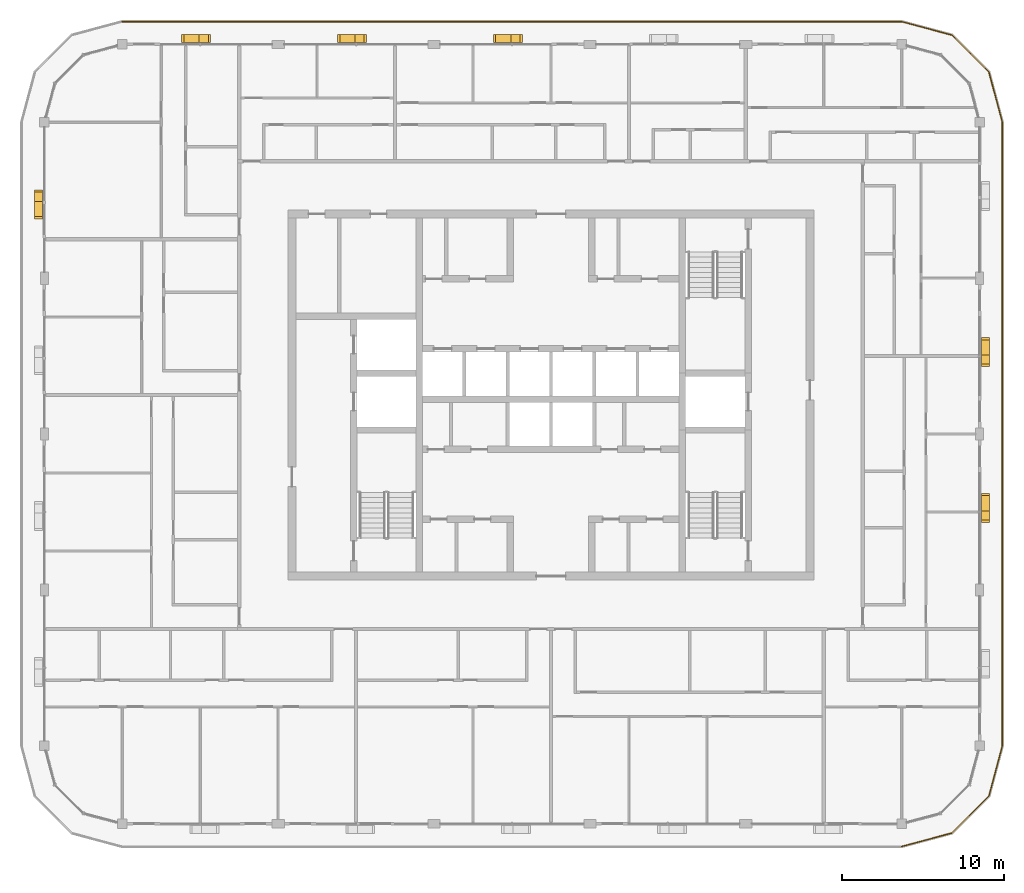
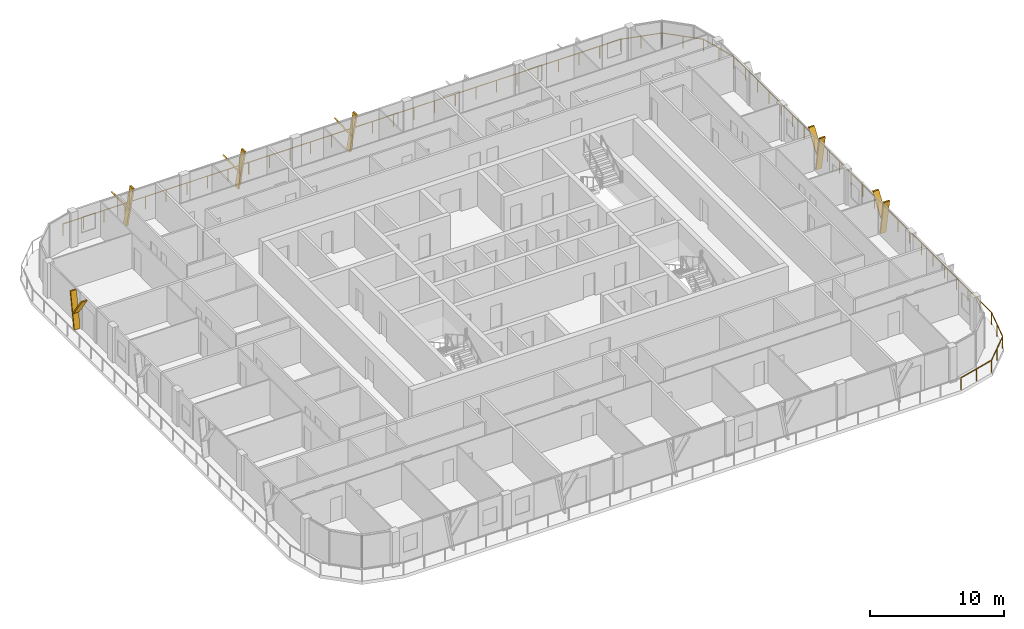
# One storey, part 20 of 21: 12 shading devices, 1 railing.
"""IFC4 building model written with IfcOpenShell, lengths in metres."""

from ifc_helpers import new_model, si_unit, direction, frame, origin, origin_2d, place, context, subcontext, project, spatial, polyline, circle, outline, extrude, material, type_object, element, save


model = new_model("IFC4")

# Units and contexts
model_context = context("Model", 3, precision=1e-05, world=origin(), true_north=direction((0.0, 1.0)))
body_context = subcontext(model_context, "Body", "Model", "MODEL_VIEW")
ifc_project = project(units=[si_unit("LENGTHUNIT", "METRE"), si_unit("AREAUNIT", "SQUARE_METRE"), si_unit("VOLUMEUNIT", "CUBIC_METRE"), si_unit("PLANEANGLEUNIT", "RADIAN"), si_unit("MASSUNIT", "GRAM", prefix="KILO")], contexts=[model_context])

# Site, building, storey
site_placement = place(None, origin())
site = spatial("IfcSite", under=ifc_project, at=site_placement, CompositionType="ELEMENT")
building_placement = place(site_placement, origin())
building = spatial("IfcBuilding", under=site, at=building_placement, Name="Madar Terraces", CompositionType="ELEMENT")
storey_placement = place(building_placement, frame((0.0, 0.0, 268.60009765625)))
storey = spatial("IfcBuildingStorey", under=building, at=storey_placement, Name="L70", CompositionType="ELEMENT", Elevation=268.60009765625)

# Railing
ifc_material_1 = material(Name="Glass, safety glazing, with stainless steel posts", Category="steel")
railing_type = type_object("IfcRailingType", Name="Balcony glass guard 1100", PredefinedType="GUARDRAIL", material=ifc_material_1)
railing_placement = place(storey_placement, frame((52.800048828125, -1.39990234375, 0.0)))
element("IfcRailing", 1, at=railing_placement, inside=storey, type_object=railing_type, Name="Balcony guard", PredefinedType="GUARDRAIL", context=body_context, shape_type="SweptSolid", body=[
    extrude(circle(Radius=0.02392578125, at=origin_2d()), frame((0.0, 0.0, 1.076171875), z_axis=(0.965928696102, 0.258808334578, 0.0), x_axis=(-0.258808334578, 0.965928696102, 0.0)), (0.0, 0.0, 1.0), 3.209228515625),
    extrude(circle(Radius=0.02392578125, at=origin_2d()), frame((3.099853515625, 0.83056640625, 1.076171875), z_axis=(0.707144815061, 0.707068745266, 0.0), x_axis=(-0.707068745266, 0.707144815061, 0.0)), (0.0, 0.0, 1.0), 3.20947265625),
    extrude(circle(Radius=0.02392578125, at=origin_2d()), frame((5.369384765625, 3.099853515625, 1.076171875), z_axis=(0.258789317819, 0.9659337912, 0.0), x_axis=(-0.9659337912, 0.258789317819, 0.0)), (0.0, 0.0, 1.0), 3.20947265625),
    extrude(circle(Radius=0.02392578125, at=origin_2d()), frame((6.199951171875, 6.199951171875, 1.076171875), z_axis=(0.0, 1.0, 0.0), x_axis=(-1.0, 0.0, 0.0)), (0.0, 0.0, 1.0), 38.39990234375),
    extrude(circle(Radius=0.02392578125, at=origin_2d()), frame((6.199951171875, 44.599853515625, 1.076171875), z_axis=(-0.258789317819, 0.9659337912, 0.0), x_axis=(-0.9659337912, -0.258789317819, 0.0)), (0.0, 0.0, 1.0), 3.20947265625),
    extrude(circle(Radius=0.02392578125, at=origin_2d()), frame((5.369384765625, 47.699951171875, 1.076171875), z_axis=(-0.707144815061, 0.707068745266, 0.0), x_axis=(-0.707068745266, -0.707144815061, 0.0)), (0.0, 0.0, 1.0), 3.20947265625),
    extrude(circle(Radius=0.02392578125, at=origin_2d()), frame((3.099853515625, 49.96923828125, 1.076171875), z_axis=(-0.965928696102, 0.258808334578, 0.0), x_axis=(-0.258808334578, -0.965928696102, 0.0)), (0.0, 0.0, 1.0), 3.209228515625),
    extrude(circle(Radius=0.02392578125, at=origin_2d()), frame((0.0, 50.7998046875, 1.076171875), z_axis=(-1.0, 0.0, 0.0), x_axis=(0.0, -1.0, 0.0)), (0.0, 0.0, 1.0), 48.0),
    extrude(circle(Radius=0.02099609375, at=origin_2d()), origin(), (0.0, 0.0, 1.0), 1.052001953125),
    extrude(circle(Radius=0.02099609375, at=origin_2d()), frame((1.5498046875, 0.415283203125, 0.0)), (0.0, 0.0, 1.0), 1.052001953125),
    extrude(circle(Radius=0.02099609375, at=origin_2d()), frame((3.099853515625, 0.83056640625, 0.0)), (0.0, 0.0, 1.0), 1.052001953125),
    extrude(circle(Radius=0.02099609375, at=origin_2d()), frame((4.234619140625, 1.96533203125, 0.0)), (0.0, 0.0, 1.0), 1.052001953125),
    extrude(circle(Radius=0.02099609375, at=origin_2d()), frame((5.369384765625, 3.099853515625, 0.0)), (0.0, 0.0, 1.0), 1.052001953125),
    extrude(circle(Radius=0.02099609375, at=origin_2d()), frame((5.78466796875, 4.64990234375, 0.0)), (0.0, 0.0, 1.0), 1.052001953125),
    extrude(circle(Radius=0.02099609375, at=origin_2d()), frame((6.199951171875, 6.199951171875, 0.0)), (0.0, 0.0, 1.0), 1.052001953125),
    extrude(circle(Radius=0.02099609375, at=origin_2d()), frame((6.199951171875, 7.9453125, 0.0)), (0.0, 0.0, 1.0), 1.052001953125),
    extrude(circle(Radius=0.02099609375, at=origin_2d()), frame((6.199951171875, 9.69091796875, 0.0)), (0.0, 0.0, 1.0), 1.052001953125),
    extrude(circle(Radius=0.02099609375, at=origin_2d()), frame((6.199951171875, 11.436279296875, 0.0)), (0.0, 0.0, 1.0), 1.052001953125),
    extrude(circle(Radius=0.02099609375, at=origin_2d()), frame((6.199951171875, 13.181640625, 0.0)), (0.0, 0.0, 1.0), 1.052001953125),
    extrude(circle(Radius=0.02099609375, at=origin_2d()), frame((6.199951171875, 14.92724609375, 0.0)), (0.0, 0.0, 1.0), 1.052001953125),
    extrude(circle(Radius=0.02099609375, at=origin_2d()), frame((6.199951171875, 16.672607421875, 0.0)), (0.0, 0.0, 1.0), 1.052001953125),
    extrude(circle(Radius=0.02099609375, at=origin_2d()), frame((6.199951171875, 18.418212890625, 0.0)), (0.0, 0.0, 1.0), 1.052001953125),
    extrude(circle(Radius=0.02099609375, at=origin_2d()), frame((6.199951171875, 20.16357421875, 0.0)), (0.0, 0.0, 1.0), 1.052001953125),
    extrude(circle(Radius=0.02099609375, at=origin_2d()), frame((6.199951171875, 21.908935546875, 0.0)), (0.0, 0.0, 1.0), 1.052001953125),
    extrude(circle(Radius=0.02099609375, at=origin_2d()), frame((6.199951171875, 23.654541015625, 0.0)), (0.0, 0.0, 1.0), 1.052001953125),
    extrude(circle(Radius=0.02099609375, at=origin_2d()), frame((6.199951171875, 25.39990234375, 0.0)), (0.0, 0.0, 1.0), 1.052001953125),
    extrude(circle(Radius=0.02099609375, at=origin_2d()), frame((6.199951171875, 27.145263671875, 0.0)), (0.0, 0.0, 1.0), 1.052001953125),
    extrude(circle(Radius=0.02099609375, at=origin_2d()), frame((6.199951171875, 28.890869140625, 0.0)), (0.0, 0.0, 1.0), 1.052001953125),
    extrude(circle(Radius=0.02099609375, at=origin_2d()), frame((6.199951171875, 30.63623046875, 0.0)), (0.0, 0.0, 1.0), 1.052001953125),
    extrude(circle(Radius=0.02099609375, at=origin_2d()), frame((6.199951171875, 32.381591796875, 0.0)), (0.0, 0.0, 1.0), 1.052001953125),
    extrude(circle(Radius=0.02099609375, at=origin_2d()), frame((6.199951171875, 34.127197265625, 0.0)), (0.0, 0.0, 1.0), 1.052001953125),
    extrude(circle(Radius=0.02099609375, at=origin_2d()), frame((6.199951171875, 35.87255859375, 0.0)), (0.0, 0.0, 1.0), 1.052001953125),
    extrude(circle(Radius=0.02099609375, at=origin_2d()), frame((6.199951171875, 37.6181640625, 0.0)), (0.0, 0.0, 1.0), 1.052001953125),
    extrude(circle(Radius=0.02099609375, at=origin_2d()), frame((6.199951171875, 39.363525390625, 0.0)), (0.0, 0.0, 1.0), 1.052001953125),
    extrude(circle(Radius=0.02099609375, at=origin_2d()), frame((6.199951171875, 41.10888671875, 0.0)), (0.0, 0.0, 1.0), 1.052001953125),
    extrude(circle(Radius=0.02099609375, at=origin_2d()), frame((6.199951171875, 42.8544921875, 0.0)), (0.0, 0.0, 1.0), 1.052001953125),
    extrude(circle(Radius=0.02099609375, at=origin_2d()), frame((6.199951171875, 44.599853515625, 0.0)), (0.0, 0.0, 1.0), 1.052001953125),
    extrude(circle(Radius=0.02099609375, at=origin_2d()), frame((5.78466796875, 46.14990234375, 0.0)), (0.0, 0.0, 1.0), 1.052001953125),
    extrude(circle(Radius=0.02099609375, at=origin_2d()), frame((5.369384765625, 47.699951171875, 0.0)), (0.0, 0.0, 1.0), 1.052001953125),
    extrude(circle(Radius=0.02099609375, at=origin_2d()), frame((4.234619140625, 48.83447265625, 0.0)), (0.0, 0.0, 1.0), 1.052001953125),
    extrude(circle(Radius=0.02099609375, at=origin_2d()), frame((3.099853515625, 49.96923828125, 0.0)), (0.0, 0.0, 1.0), 1.052001953125),
    extrude(circle(Radius=0.02099609375, at=origin_2d()), frame((1.5498046875, 50.384521484375, 0.0)), (0.0, 0.0, 1.0), 1.052001953125),
    extrude(circle(Radius=0.02099609375, at=origin_2d()), frame((0.0, 50.7998046875, 0.0)), (0.0, 0.0, 1.0), 1.052001953125),
    extrude(circle(Radius=0.02099609375, at=origin_2d()), frame((-1.77783203125, 50.7998046875, 0.0)), (0.0, 0.0, 1.0), 1.052001953125),
    extrude(circle(Radius=0.02099609375, at=origin_2d()), frame((-3.5556640625, 50.7998046875, 0.0)), (0.0, 0.0, 1.0), 1.052001953125),
    extrude(circle(Radius=0.02099609375, at=origin_2d()), frame((-5.333251953125, 50.7998046875, 0.0)), (0.0, 0.0, 1.0), 1.052001953125),
    extrude(circle(Radius=0.02099609375, at=origin_2d()), frame((-7.111083984375, 50.7998046875, 0.0)), (0.0, 0.0, 1.0), 1.052001953125),
    extrude(circle(Radius=0.02099609375, at=origin_2d()), frame((-8.888916015625, 50.7998046875, 0.0)), (0.0, 0.0, 1.0), 1.052001953125),
    extrude(circle(Radius=0.02099609375, at=origin_2d()), frame((-10.666748046875, 50.7998046875, 0.0)), (0.0, 0.0, 1.0), 1.052001953125),
    extrude(circle(Radius=0.02099609375, at=origin_2d()), frame((-12.4443359375, 50.7998046875, 0.0)), (0.0, 0.0, 1.0), 1.052001953125),
    extrude(circle(Radius=0.02099609375, at=origin_2d()), frame((-14.22216796875, 50.7998046875, 0.0)), (0.0, 0.0, 1.0), 1.052001953125),
    extrude(circle(Radius=0.02099609375, at=origin_2d()), frame((-16.0, 50.7998046875, 0.0)), (0.0, 0.0, 1.0), 1.052001953125),
    extrude(circle(Radius=0.02099609375, at=origin_2d()), frame((-17.77783203125, 50.7998046875, 0.0)), (0.0, 0.0, 1.0), 1.052001953125),
    extrude(circle(Radius=0.02099609375, at=origin_2d()), frame((-19.5556640625, 50.7998046875, 0.0)), (0.0, 0.0, 1.0), 1.052001953125),
    extrude(circle(Radius=0.02099609375, at=origin_2d()), frame((-21.333251953125, 50.7998046875, 0.0)), (0.0, 0.0, 1.0), 1.052001953125),
    extrude(circle(Radius=0.02099609375, at=origin_2d()), frame((-23.111083984375, 50.7998046875, 0.0)), (0.0, 0.0, 1.0), 1.052001953125),
    extrude(circle(Radius=0.02099609375, at=origin_2d()), frame((-24.888916015625, 50.7998046875, 0.0)), (0.0, 0.0, 1.0), 1.052001953125),
    extrude(circle(Radius=0.02099609375, at=origin_2d()), frame((-26.666748046875, 50.7998046875, 0.0)), (0.0, 0.0, 1.0), 1.052001953125),
    extrude(circle(Radius=0.02099609375, at=origin_2d()), frame((-28.4443359375, 50.7998046875, 0.0)), (0.0, 0.0, 1.0), 1.052001953125),
    extrude(circle(Radius=0.02099609375, at=origin_2d()), frame((-30.22216796875, 50.7998046875, 0.0)), (0.0, 0.0, 1.0), 1.052001953125),
    extrude(circle(Radius=0.02099609375, at=origin_2d()), frame((-32.0, 50.7998046875, 0.0)), (0.0, 0.0, 1.0), 1.052001953125),
    extrude(circle(Radius=0.02099609375, at=origin_2d()), frame((-33.77783203125, 50.7998046875, 0.0)), (0.0, 0.0, 1.0), 1.052001953125),
    extrude(circle(Radius=0.02099609375, at=origin_2d()), frame((-35.5556640625, 50.7998046875, 0.0)), (0.0, 0.0, 1.0), 1.052001953125),
    extrude(circle(Radius=0.02099609375, at=origin_2d()), frame((-37.333251953125, 50.7998046875, 0.0)), (0.0, 0.0, 1.0), 1.052001953125),
    extrude(circle(Radius=0.02099609375, at=origin_2d()), frame((-39.111083984375, 50.7998046875, 0.0)), (0.0, 0.0, 1.0), 1.052001953125),
    extrude(circle(Radius=0.02099609375, at=origin_2d()), frame((-40.888916015625, 50.7998046875, 0.0)), (0.0, 0.0, 1.0), 1.052001953125),
    extrude(circle(Radius=0.02099609375, at=origin_2d()), frame((-42.666748046875, 50.7998046875, 0.0)), (0.0, 0.0, 1.0), 1.052001953125),
    extrude(circle(Radius=0.02099609375, at=origin_2d()), frame((-44.4443359375, 50.7998046875, 0.0)), (0.0, 0.0, 1.0), 1.052001953125),
    extrude(circle(Radius=0.02099609375, at=origin_2d()), frame((-46.22216796875, 50.7998046875, 0.0)), (0.0, 0.0, 1.0), 1.052001953125),
    extrude(circle(Radius=0.02099609375, at=origin_2d()), frame((-48.0, 50.7998046875, 0.0)), (0.0, 0.0, 1.0), 1.052001953125),
])

# Shading devices
ifc_material_2 = material(Name="Aluminium, black anodised", Category="aluminium")
shading_device_type = type_object("IfcShadingDeviceType", Name="Facade fin blade 140 x 500", PredefinedType="USERDEFINED", material=ifc_material_2)
shading_device_1_placement = place(storey_placement, frame((57.949951171875, 19.1298828125, 0.0), z_axis=(0.0, 0.0, 1.0), x_axis=(0.0, 1.0, 0.0)))
element("IfcShadingDevice", 2, at=shading_device_1_placement, inside=storey, type_object=shading_device_type, Name="FIN L70 E2", ObjectType="FIN", PredefinedType="USERDEFINED", context=body_context, shape_type="SweptSolid", body=[
    extrude(outline(polyline([(0.0, 0.0), (0.14013671875, 0.0), (-0.42431640625, 3.199951171875), (-0.564208984375, 3.199951171875), (0.0, 0.0)])), frame((0.0, 0.25, 0.0), z_axis=(0.0, -1.0, 0.0), x_axis=(1.0, 0.0, 0.0)), (0.0, 0.0, 1.0), 0.5),
])
shading_device_2_placement = place(storey_placement, frame((57.949951171875, 19.01611328125, 1.43994140625), z_axis=(0.0, 0.0, 1.0), x_axis=(0.0, 1.0, 0.0)))
element("IfcShadingDevice", 3, at=shading_device_2_placement, inside=storey, type_object=shading_device_type, Name="FIN L70 E2 branch", ObjectType="FIN", PredefinedType="USERDEFINED", context=body_context, shape_type="SweptSolid", body=[
    extrude(outline(polyline([(0.0, 0.0), (0.139892578125, 0.0), (1.32958984375, 1.760009765625), (1.189697265625, 1.760009765625), (0.0, 0.0)])), frame((0.0, 0.25, 0.0), z_axis=(0.0, -1.0, 0.0), x_axis=(1.0, 0.0, 0.0)), (0.0, 0.0, 1.0), 0.5),
])
shading_device_3_placement = place(storey_placement, frame((57.949951171875, 28.72998046875, 0.0), z_axis=(0.0, 0.0, 1.0), x_axis=(0.0, 1.0, 0.0)))
element("IfcShadingDevice", 4, at=shading_device_3_placement, inside=storey, type_object=shading_device_type, Name="FIN L70 E3", ObjectType="FIN", PredefinedType="USERDEFINED", context=body_context, shape_type="SweptSolid", body=[
    extrude(outline(polyline([(0.0, 0.0), (0.14013671875, 0.0), (-0.42431640625, 3.199951171875), (-0.564208984375, 3.199951171875), (0.0, 0.0)])), frame((0.0, 0.25, 0.0), z_axis=(0.0, -1.0, 0.0), x_axis=(1.0, 0.0, 0.0)), (0.0, 0.0, 1.0), 0.5),
])
shading_device_4_placement = place(storey_placement, frame((57.949951171875, 28.6162109375, 1.43994140625), z_axis=(0.0, 0.0, 1.0), x_axis=(0.0, 1.0, 0.0)))
element("IfcShadingDevice", 5, at=shading_device_4_placement, inside=storey, type_object=shading_device_type, Name="FIN L70 E3 branch", ObjectType="FIN", PredefinedType="USERDEFINED", context=body_context, shape_type="SweptSolid", body=[
    extrude(outline(polyline([(0.0, 0.0), (0.139892578125, 0.0), (1.32958984375, 1.760009765625), (1.189697265625, 1.760009765625), (0.0, 0.0)])), frame((0.0, 0.25, 0.0), z_axis=(0.0, -1.0, 0.0), x_axis=(1.0, 0.0, 0.0)), (0.0, 0.0, 1.0), 0.5),
])
shading_device_5_placement = place(storey_placement, frame((28.8701171875, 48.35009765625, 0.0), z_axis=(0.0, 0.0, 1.0), x_axis=(-1.0, 0.0, 0.0)))
element("IfcShadingDevice", 6, at=shading_device_5_placement, inside=storey, type_object=shading_device_type, Name="FIN L70 N3", ObjectType="FIN", PredefinedType="USERDEFINED", context=body_context, shape_type="SweptSolid", body=[
    extrude(outline(polyline([(0.0, 0.0), (0.14013671875, 0.0), (-0.42431640625, 3.199951171875), (-0.564208984375, 3.199951171875), (0.0, 0.0)])), frame((0.0, 0.25, 0.0), z_axis=(0.0, -1.0, 0.0), x_axis=(1.0, 0.0, 0.0)), (0.0, 0.0, 1.0), 0.5),
])
shading_device_6_placement = place(storey_placement, frame((28.98388671875, 48.35009765625, 1.43994140625), z_axis=(0.0, 0.0, 1.0), x_axis=(-1.0, 0.0, 0.0)))
element("IfcShadingDevice", 7, at=shading_device_6_placement, inside=storey, type_object=shading_device_type, Name="FIN L70 N3 branch", ObjectType="FIN", PredefinedType="USERDEFINED", context=body_context, shape_type="SweptSolid", body=[
    extrude(outline(polyline([(0.0, 0.0), (0.139892578125, 0.0), (1.32958984375, 1.760009765625), (1.189697265625, 1.760009765625), (0.0, 0.0)])), frame((0.0, 0.25, 0.0), z_axis=(0.0, -1.0, 0.0), x_axis=(1.0, 0.0, 0.0)), (0.0, 0.0, 1.0), 0.5),
])
shading_device_7_placement = place(storey_placement, frame((19.27001953125, 48.35009765625, 0.0), z_axis=(0.0, 0.0, 1.0), x_axis=(-1.0, 0.0, 0.0)))
element("IfcShadingDevice", 8, at=shading_device_7_placement, inside=storey, type_object=shading_device_type, Name="FIN L70 N4", ObjectType="FIN", PredefinedType="USERDEFINED", context=body_context, shape_type="SweptSolid", body=[
    extrude(outline(polyline([(0.0, 0.0), (0.14013671875, 0.0), (-0.42431640625, 3.199951171875), (-0.564208984375, 3.199951171875), (0.0, 0.0)])), frame((0.0, 0.25, 0.0), z_axis=(0.0, -1.0, 0.0), x_axis=(1.0, 0.0, 0.0)), (0.0, 0.0, 1.0), 0.5),
])
shading_device_8_placement = place(storey_placement, frame((19.3837890625, 48.35009765625, 1.43994140625), z_axis=(0.0, 0.0, 1.0), x_axis=(-1.0, 0.0, 0.0)))
element("IfcShadingDevice", 9, at=shading_device_8_placement, inside=storey, type_object=shading_device_type, Name="FIN L70 N4 branch", ObjectType="FIN", PredefinedType="USERDEFINED", context=body_context, shape_type="SweptSolid", body=[
    extrude(outline(polyline([(0.0, 0.0), (0.139892578125, 0.0), (1.32958984375, 1.760009765625), (1.189697265625, 1.760009765625), (0.0, 0.0)])), frame((0.0, 0.25, 0.0), z_axis=(0.0, -1.0, 0.0), x_axis=(1.0, 0.0, 0.0)), (0.0, 0.0, 1.0), 0.5),
])
shading_device_9_placement = place(storey_placement, frame((9.669921875, 48.35009765625, 0.0), z_axis=(0.0, 0.0, 1.0), x_axis=(-1.0, 0.0, 0.0)))
element("IfcShadingDevice", 10, at=shading_device_9_placement, inside=storey, type_object=shading_device_type, Name="FIN L70 N5", ObjectType="FIN", PredefinedType="USERDEFINED", context=body_context, shape_type="SweptSolid", body=[
    extrude(outline(polyline([(0.0, 0.0), (0.139892578125, 0.0), (-0.42431640625, 3.199951171875), (-0.564208984375, 3.199951171875), (0.0, 0.0)])), frame((0.0, 0.25, 0.0), z_axis=(0.0, -1.0, 0.0), x_axis=(1.0, 0.0, 0.0)), (0.0, 0.0, 1.0), 0.5),
])
shading_device_10_placement = place(storey_placement, frame((9.783935546875, 48.35009765625, 1.43994140625), z_axis=(0.0, 0.0, 1.0), x_axis=(-1.0, 0.0, 0.0)))
element("IfcShadingDevice", 11, at=shading_device_10_placement, inside=storey, type_object=shading_device_type, Name="FIN L70 N5 branch", ObjectType="FIN", PredefinedType="USERDEFINED", context=body_context, shape_type="SweptSolid", body=[
    extrude(outline(polyline([(0.0, 0.0), (0.14013671875, 0.0), (1.32958984375, 1.760009765625), (1.189697265625, 1.760009765625), (0.0, 0.0)])), frame((0.0, 0.25, 0.0), z_axis=(0.0, -1.0, 0.0), x_axis=(1.0, 0.0, 0.0)), (0.0, 0.0, 1.0), 0.5),
])
shading_device_11_placement = place(storey_placement, frame((-0.35009765625, 38.469970703125, 0.0), z_axis=(0.0, 0.0, 1.0), x_axis=(0.0, -1.0, 0.0)))
element("IfcShadingDevice", 12, at=shading_device_11_placement, inside=storey, type_object=shading_device_type, Name="FIN L70 W1", ObjectType="FIN", PredefinedType="USERDEFINED", context=body_context, shape_type="SweptSolid", body=[
    extrude(outline(polyline([(0.0, 0.0), (0.139892578125, 0.0), (-0.42431640625, 3.199951171875), (-0.564208984375, 3.199951171875), (0.0, 0.0)])), frame((0.0, 0.25, 0.0), z_axis=(0.0, -1.0, 0.0), x_axis=(1.0, 0.0, 0.0)), (0.0, 0.0, 1.0), 0.5),
])
shading_device_12_placement = place(storey_placement, frame((-0.35009765625, 38.583984375, 1.43994140625), z_axis=(0.0, 0.0, 1.0), x_axis=(0.0, -1.0, 0.0)))
element("IfcShadingDevice", 13, at=shading_device_12_placement, inside=storey, type_object=shading_device_type, Name="FIN L70 W1 branch", ObjectType="FIN", PredefinedType="USERDEFINED", context=body_context, shape_type="SweptSolid", body=[
    extrude(outline(polyline([(0.0, 0.0), (0.14013671875, 0.0), (1.32958984375, 1.760009765625), (1.189697265625, 1.760009765625), (0.0, 0.0)])), frame((0.0, 0.25, 0.0), z_axis=(0.0, -1.0, 0.0), x_axis=(1.0, 0.0, 0.0)), (0.0, 0.0, 1.0), 0.5),
])

save(model, "model.ifc")
